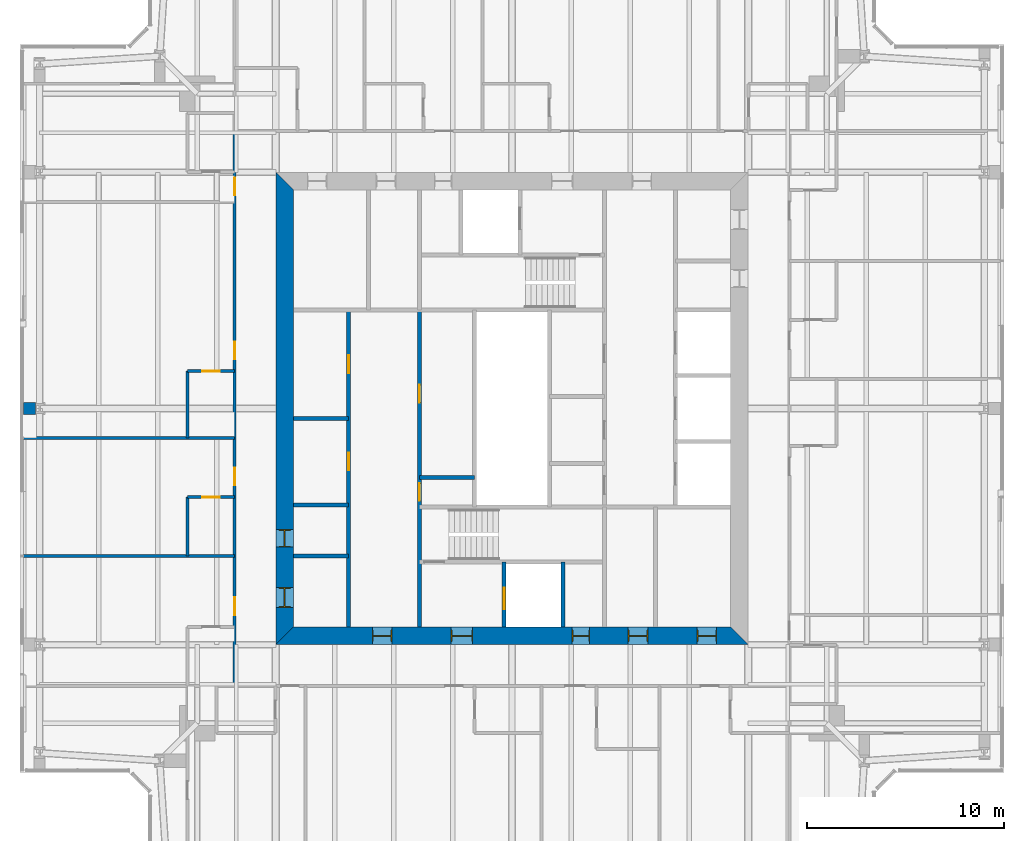
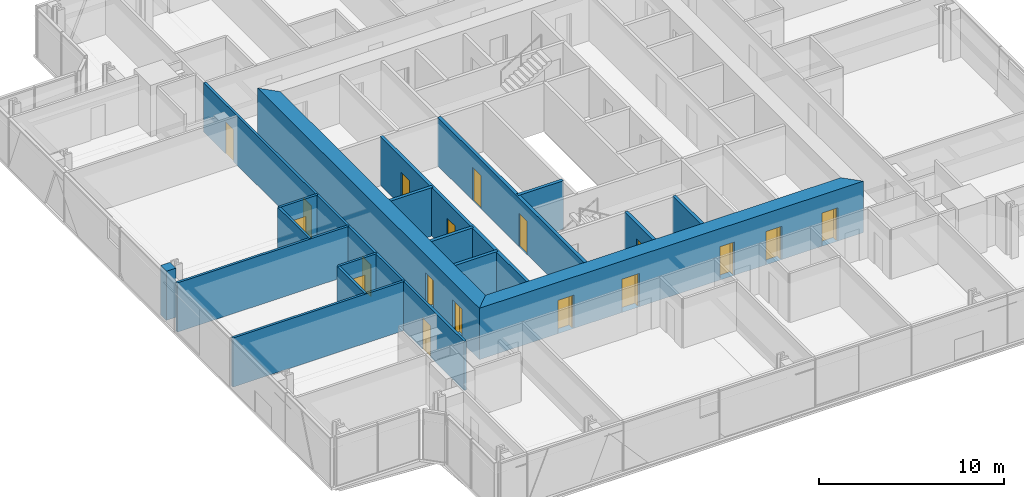
# One storey, part 12 of 18: 18 doors, 18 walls, 18 openings.
"""IFC4 building model written with IfcOpenShell, lengths in metres."""

from ifc_helpers import new_model, si_unit, direction, frame, frame_2d, origin, place, context, subcontext, project, spatial, polyline, rectangle, outline, extrude, material, layer, layer_set, type_object, element, fill, save


model = new_model("IFC4")

# Units and contexts
model_context = context("Model", 3, precision=1e-05, world=origin(), true_north=direction((0.0, 1.0)))
body_context = subcontext(model_context, "Body", "Model", "MODEL_VIEW")
ifc_project = project(units=[si_unit("LENGTHUNIT", "METRE"), si_unit("AREAUNIT", "SQUARE_METRE"), si_unit("VOLUMEUNIT", "CUBIC_METRE"), si_unit("PLANEANGLEUNIT", "RADIAN"), si_unit("MASSUNIT", "GRAM", prefix="KILO")], contexts=[model_context])

# Site, building, storey
site_placement = place(None, origin())
site = spatial("IfcSite", under=ifc_project, at=site_placement, CompositionType="ELEMENT")
building_placement = place(site_placement, origin())
building = spatial("IfcBuilding", under=site, at=building_placement, Name="Fenwick Lantern Interchange", CompositionType="ELEMENT")
storey_placement = place(building_placement, frame((0.0, 0.0, 262.800048828125)))
storey = spatial("IfcBuildingStorey", under=building, at=storey_placement, Name="L62", CompositionType="ELEMENT", Elevation=262.800048828125)

# Wall
ifc_material_1 = material(Name="Fire-rated gypsum board encasement on steel studs, 2 hour", Category="steel")
ifc_layer_1 = layer(ifc_material_1, 0.631103515625)
ifc_layer_set_1 = layer_set([ifc_layer_1], Name="COLUMN PIER 631")
wall_type_1 = type_object("IfcWallType", Name="COLUMN PIER 631", PredefinedType="PARTITIONING", material=ifc_layer_set_1)
wall_1_placement = place(storey_placement, frame((0.18994140625, 25.0, 0.0), z_axis=(0.0, 0.0, 1.0), x_axis=(1.0, 0.0, 0.0)))
element("IfcWall", 1, at=wall_1_placement, inside=storey, type_object=wall_type_1, Name="L62/W/PIER/CW3", PredefinedType="PARTITIONING", context=body_context, shape_type="SweptSolid", body=[
    extrude(rectangle(XDim=0.589111328125, YDim=0.631103515625, at=frame_2d((0.29443359375, 0.0))), origin(), (0.0, 0.0, 1.0), 3.25),
])

# Wall, openings, doors
ifc_material_2 = material(Name="Concrete masonry ASTM C90 Grade N", Category="masonry")
ifc_layer_2 = layer(ifc_material_2, 0.199951171875)
ifc_layer_set_2 = layer_set([ifc_layer_2], Name="Concrete masonry ASTM C90 Grade N")
wall_type_2 = type_object("IfcWallType", Name="CORE PARTITION 200", PredefinedType="PARTITIONING", material=ifc_layer_set_2)
wall_2_placement = place(storey_placement, frame((16.699951171875, 13.89990234375, 0.0), z_axis=(0.0, 0.0, 1.0), x_axis=(0.0, 1.0, 0.0)))
wall_2 = element("IfcWall", 2, at=wall_2_placement, inside=storey, type_object=wall_type_2, Name="L62/W/CORES/a", PredefinedType="PARTITIONING", context=body_context, shape_type="SweptSolid", body=[
    extrude(rectangle(XDim=16.10009765625, YDim=0.199951171875, at=frame_2d((8.050048828125, 0.0))), origin(), (0.0, 0.0, 1.0), 3.199951171875),
])
opening_1_placement = place(wall_2_placement, frame((7.949951171875, 0.0, 0.0)))
opening_1 = element("IfcOpeningElement", 3, at=opening_1_placement, cuts=wall_2, Name="Opening L62-D009", PredefinedType="OPENING", context=body_context, shape_type="SweptSolid", body=[
    extrude(rectangle(XDim=0.89990234375, YDim=2.199951171875, at=frame_2d((0.449951171875, 1.10009765625))), frame((0.0, 0.10986328125, 0.0), z_axis=(0.0, -1.0, 0.0), x_axis=(1.0, 0.0, 0.0)), (0.0, 0.0, 1.0), 0.219970703125),
])
opening_2_placement = place(wall_2_placement, frame((12.89990234375, 0.0, 0.0)))
opening_2 = element("IfcOpeningElement", 4, at=opening_2_placement, cuts=wall_2, Name="Opening L62-D010", PredefinedType="OPENING", context=body_context, shape_type="SweptSolid", body=[
    extrude(rectangle(XDim=0.89990234375, YDim=2.199951171875, at=frame_2d((0.449951171875, 1.10009765625))), frame((0.0, 0.10986328125, 0.0), z_axis=(0.0, -1.0, 0.0), x_axis=(1.0, 0.0, 0.0)), (0.0, 0.0, 1.0), 0.219970703125),
])
ifc_material_3 = material(Name="Steel door and frame", Category="steel")
door_type_1 = type_object("IfcDoorType", Name="SERVICE DOOR 900 X 2200", OperationType="SINGLE_SWING_LEFT", PredefinedType="DOOR", material=ifc_material_3)
door_1_placement = place(opening_1_placement, origin())
door_1 = element("IfcDoor", 5, at=door_1_placement, inside=storey, type_object=door_type_1, Name="Service door", OperationType="SINGLE_SWING_LEFT", OverallHeight=2.199951171875, OverallWidth=0.89990234375, PredefinedType="DOOR", context=body_context, shape_type="SweptSolid", body=[
    extrude(rectangle(XDim=0.89990234375, YDim=2.199951171875, at=frame_2d((0.449951171875, 1.10009765625))), frame((0.0, 0.02490234375, 0.0), z_axis=(0.0, -1.0, 0.0), x_axis=(1.0, 0.0, 0.0)), (0.0, 0.0, 1.0), 0.050048828125),
])
fill(opening_1, door_1)
door_2_placement = place(opening_2_placement, origin())
door_2 = element("IfcDoor", 6, at=door_2_placement, inside=storey, type_object=door_type_1, Name="Service door", OperationType="SINGLE_SWING_LEFT", OverallHeight=2.199951171875, OverallWidth=0.89990234375, PredefinedType="DOOR", context=body_context, shape_type="SweptSolid", body=[
    extrude(rectangle(XDim=0.89990234375, YDim=2.199951171875, at=frame_2d((0.449951171875, 1.10009765625))), frame((0.0, 0.02490234375, 0.0), z_axis=(0.0, -1.0, 0.0), x_axis=(1.0, 0.0, 0.0)), (0.0, 0.0, 1.0), 0.050048828125),
])
fill(opening_2, door_2)

# Wall, opening, door
wall_3_placement = place(storey_placement, frame((24.60009765625, 13.89990234375, 0.0), z_axis=(0.0, 0.0, 1.0), x_axis=(0.0, 1.0, 0.0)))
wall_3 = element("IfcWall", 7, at=wall_3_placement, inside=storey, type_object=wall_type_2, Name="L62/W/CORES/h1", PredefinedType="PARTITIONING", context=body_context, shape_type="SweptSolid", body=[
    extrude(rectangle(XDim=3.300048828125, YDim=0.199951171875, at=frame_2d((1.64990234375, 0.0))), origin(), (0.0, 0.0, 1.0), 3.199951171875),
])
opening_3_placement = place(wall_3_placement, frame((0.89990234375, 0.0, 0.0)))
opening_3 = element("IfcOpeningElement", 8, at=opening_3_placement, cuts=wall_3, Name="Opening LD-FL1", PredefinedType="OPENING", context=body_context, shape_type="SweptSolid", body=[
    extrude(rectangle(XDim=1.10009765625, YDim=2.199951171875, at=frame_2d((0.550048828125, 1.10009765625))), frame((0.0, 0.10986328125, 0.0), z_axis=(0.0, -1.0, 0.0), x_axis=(1.0, 0.0, 0.0)), (0.0, 0.0, 1.0), 0.219970703125),
])
door_type_2 = type_object("IfcDoorType", Name="LIFT LANDING DOOR 1100 X 2200", OperationType="DOUBLE_DOOR_SLIDING", PredefinedType="DOOR", material=ifc_material_3)
door_3_placement = place(opening_3_placement, origin())
door_3 = element("IfcDoor", 9, at=door_3_placement, inside=storey, type_object=door_type_2, Name="Lift landing door FL1", OperationType="DOUBLE_DOOR_SLIDING", OverallHeight=2.199951171875, OverallWidth=1.10009765625, PredefinedType="DOOR", context=body_context, shape_type="SweptSolid", body=[
    extrude(rectangle(XDim=1.10009765625, YDim=2.199951171875, at=frame_2d((0.550048828125, 1.10009765625))), frame((0.0, 0.02490234375, 0.0), z_axis=(0.0, -1.0, 0.0), x_axis=(1.0, 0.0, 0.0)), (0.0, 0.0, 1.0), 0.050048828125),
])
fill(opening_3, door_3)

# Walls
wall_4_placement = place(storey_placement, frame((27.60009765625, 13.89990234375, 0.0), z_axis=(0.0, 0.0, 1.0), x_axis=(0.0, 1.0, 0.0)))
element("IfcWall", 10, at=wall_4_placement, inside=storey, type_object=wall_type_2, Name="L62/W/CORES/h2", PredefinedType="PARTITIONING", context=body_context, shape_type="SweptSolid", body=[
    extrude(rectangle(XDim=3.300048828125, YDim=0.199951171875, at=frame_2d((1.64990234375, 0.0))), origin(), (0.0, 0.0, 1.0), 3.199951171875),
])
for number, where, z_axis, x_axis, name in (
    (11, (13.89990234375, 17.5, 0.0), (0.0, 0.0, 1.0), (1.0, 0.0, 0.0), "L62/W/CORES/p1"),
    (12, (13.89990234375, 20.10009765625, 0.0), (0.0, 0.0, 1.0), (1.0, 0.0, 0.0), "L62/W/CORES/p2"),
    (13, (13.89990234375, 24.5, 0.0), (0.0, 0.0, 1.0), (1.0, 0.0, 0.0), "L62/W/CORES/p3"),
    (14, (20.300048828125, 21.5, 0.0), (0.0, 0.0, 1.0), (1.0, 0.0, 0.0), "L62/W/CORES/q1"),
):
    element("IfcWall", number, at=place(storey_placement, frame(where, z_axis=z_axis, x_axis=x_axis)), inside=storey, type_object=wall_type_2, Name=name, PredefinedType="PARTITIONING", context=body_context, shape_type="SweptSolid", body=[
        extrude(rectangle(XDim=2.800048828125, YDim=0.199951171875, at=frame_2d((1.39990234375, 0.0))), origin(), (0.0, 0.0, 1.0), 3.199951171875),
    ])

# Wall, openings, doors
ifc_material_4 = material(Name="Concrete f'c 70 MPa", Category="concrete")
ifc_layer_3 = layer(ifc_material_4, 0.89990234375)
ifc_layer_set_3 = layer_set([ifc_layer_3], Name="CORE WALL 900")
wall_type_3 = type_object("IfcWallType", Name="CORE WALL 900", PredefinedType="SHEAR", material=ifc_layer_set_3)
wall_5_placement = place(storey_placement, frame((13.0, 13.449951171875, 0.0), z_axis=(0.0, 0.0, 1.0), x_axis=(1.0, 0.0, 0.0)))
wall_5 = element("IfcWall", 15, at=wall_5_placement, inside=storey, type_object=wall_type_3, Name="L62/CORE/S", PredefinedType="SHEAR", context=body_context, shape_type="SweptSolid", body=[
    extrude(outline(polyline([(0.0, -0.449951171875), (24.0, -0.449951171875), (23.10009765625, 0.449951171875), (0.89990234375, 0.449951171875), (0.0, -0.449951171875)])), origin(), (0.0, 0.0, 1.0), 3.39990234375),
])
opening_4_placement = place(wall_5_placement, frame((4.89990234375, 0.0, 0.0)))
opening_4 = element("IfcOpeningElement", 16, at=opening_4_placement, cuts=wall_5, Name="Opening L62-D001", PredefinedType="OPENING", context=body_context, shape_type="SweptSolid", body=[
    extrude(rectangle(XDim=1.0, YDim=2.199951171875, at=frame_2d((0.5, 1.10009765625))), frame((0.0, 0.4599609375, 0.0), z_axis=(0.0, -1.0, 0.0), x_axis=(1.0, 0.0, 0.0)), (0.0, 0.0, 1.0), 0.919921875),
])
opening_5_placement = place(wall_5_placement, frame((8.89990234375, 0.0, 0.0)))
opening_5 = element("IfcOpeningElement", 17, at=opening_5_placement, cuts=wall_5, Name="Opening L62-D002", PredefinedType="OPENING", context=body_context, shape_type="SweptSolid", body=[
    extrude(rectangle(XDim=1.10009765625, YDim=2.199951171875, at=frame_2d((0.550048828125, 1.10009765625))), frame((0.0, 0.4599609375, 0.0), z_axis=(0.0, -1.0, 0.0), x_axis=(1.0, 0.0, 0.0)), (0.0, 0.0, 1.0), 0.919921875),
])
opening_6_placement = place(wall_5_placement, frame((15.050048828125, 0.0, 0.0)))
opening_6 = element("IfcOpeningElement", 18, at=opening_6_placement, cuts=wall_5, Name="Opening L62-D004", PredefinedType="OPENING", context=body_context, shape_type="SweptSolid", body=[
    extrude(rectangle(XDim=0.89990234375, YDim=2.199951171875, at=frame_2d((0.449951171875, 1.10009765625))), frame((0.0, 0.4599609375, 0.0), z_axis=(0.0, -1.0, 0.0), x_axis=(1.0, 0.0, 0.0)), (0.0, 0.0, 1.0), 0.919921875),
])
opening_7_placement = place(wall_5_placement, frame((17.89990234375, 0.0, 0.0)))
opening_7 = element("IfcOpeningElement", 19, at=opening_7_placement, cuts=wall_5, Name="Opening L62-D005", PredefinedType="OPENING", context=body_context, shape_type="SweptSolid", body=[
    extrude(rectangle(XDim=1.0, YDim=2.199951171875, at=frame_2d((0.5, 1.10009765625))), frame((0.0, 0.4599609375, 0.0), z_axis=(0.0, -1.0, 0.0), x_axis=(1.0, 0.0, 0.0)), (0.0, 0.0, 1.0), 0.919921875),
])
opening_8_placement = place(wall_5_placement, frame((21.39990234375, 0.0, 0.0)))
opening_8 = element("IfcOpeningElement", 20, at=opening_8_placement, cuts=wall_5, Name="Opening L62-D006", PredefinedType="OPENING", context=body_context, shape_type="SweptSolid", body=[
    extrude(rectangle(XDim=1.0, YDim=2.199951171875, at=frame_2d((0.5, 1.10009765625))), frame((0.0, 0.4599609375, 0.0), z_axis=(0.0, -1.0, 0.0), x_axis=(1.0, 0.0, 0.0)), (0.0, 0.0, 1.0), 0.919921875),
])
door_type_3 = type_object("IfcDoorType", Name="CORE LOBBY DOOR 1000 X 2200", OperationType="SINGLE_SWING_LEFT", PredefinedType="DOOR", material=ifc_material_3)
door_4_placement = place(opening_4_placement, origin())
door_4 = element("IfcDoor", 21, at=door_4_placement, inside=storey, type_object=door_type_3, Name="Core lobby door", OperationType="SINGLE_SWING_LEFT", OverallHeight=2.199951171875, OverallWidth=1.0, PredefinedType="DOOR", context=body_context, shape_type="SweptSolid", body=[
    extrude(rectangle(XDim=1.0, YDim=2.199951171875, at=frame_2d((0.5, 1.10009765625))), frame((0.0, 0.02490234375, 0.0), z_axis=(0.0, -1.0, 0.0), x_axis=(1.0, 0.0, 0.0)), (0.0, 0.0, 1.0), 0.050048828125),
    extrude(outline(polyline([(0.0, 0.0), (0.0400390625, 0.0), (0.0400390625, 2.159912109375), (0.9599609375, 2.159912109375), (0.9599609375, 0.0), (1.0, 0.0), (1.0, 2.199951171875), (0.0, 2.199951171875), (0.0, 0.0)])), frame((0.0, 0.300048828125, 0.0), z_axis=(0.0, -1.0, 0.0), x_axis=(1.0, 0.0, 0.0)), (0.0, 0.0, 1.0), 0.60009765625),
])
fill(opening_4, door_4)
door_type_4 = type_object("IfcDoorType", Name="FIRE LOBBY DOOR 1100 X 2200", OperationType="SINGLE_SWING_LEFT", PredefinedType="DOOR", material=ifc_material_3)
door_5_placement = place(opening_5_placement, origin())
door_5 = element("IfcDoor", 22, at=door_5_placement, inside=storey, type_object=door_type_4, Name="Fire lobby door", OperationType="SINGLE_SWING_LEFT", OverallHeight=2.199951171875, OverallWidth=1.10009765625, PredefinedType="DOOR", context=body_context, shape_type="SweptSolid", body=[
    extrude(rectangle(XDim=1.10009765625, YDim=2.199951171875, at=frame_2d((0.550048828125, 1.10009765625))), frame((0.0, 0.02490234375, 0.0), z_axis=(0.0, -1.0, 0.0), x_axis=(1.0, 0.0, 0.0)), (0.0, 0.0, 1.0), 0.050048828125),
    extrude(outline(polyline([(0.0, 0.0), (0.0400390625, 0.0), (0.0400390625, 2.159912109375), (1.06005859375, 2.159912109375), (1.06005859375, 0.0), (1.10009765625, 0.0), (1.10009765625, 2.199951171875), (0.0, 2.199951171875), (0.0, 0.0)])), frame((0.0, 0.300048828125, 0.0), z_axis=(0.0, -1.0, 0.0), x_axis=(1.0, 0.0, 0.0)), (0.0, 0.0, 1.0), 0.60009765625),
])
fill(opening_5, door_5)
door_6_placement = place(opening_6_placement, origin())
door_6 = element("IfcDoor", 23, at=door_6_placement, inside=storey, type_object=door_type_1, Name="Service door", OperationType="SINGLE_SWING_LEFT", OverallHeight=2.199951171875, OverallWidth=0.89990234375, PredefinedType="DOOR", context=body_context, shape_type="SweptSolid", body=[
    extrude(rectangle(XDim=0.89990234375, YDim=2.199951171875, at=frame_2d((0.449951171875, 1.10009765625))), frame((0.0, 0.02490234375, 0.0), z_axis=(0.0, -1.0, 0.0), x_axis=(1.0, 0.0, 0.0)), (0.0, 0.0, 1.0), 0.050048828125),
    extrude(outline(polyline([(0.0, 0.0), (0.0400390625, 0.0), (0.0400390625, 2.159912109375), (0.85986328125, 2.159912109375), (0.85986328125, 0.0), (0.89990234375, 0.0), (0.89990234375, 2.199951171875), (0.0, 2.199951171875), (0.0, 0.0)])), frame((0.0, 0.300048828125, 0.0), z_axis=(0.0, -1.0, 0.0), x_axis=(1.0, 0.0, 0.0)), (0.0, 0.0, 1.0), 0.60009765625),
])
fill(opening_6, door_6)
ifc_material_5 = material(Name="Hardwood door and steel frame", Category="steel")
door_type_5 = type_object("IfcDoorType", Name="WC DOOR 1000 X 2200", OperationType="SINGLE_SWING_LEFT", PredefinedType="DOOR", material=ifc_material_5)
door_7_placement = place(opening_7_placement, origin())
door_7 = element("IfcDoor", 24, at=door_7_placement, inside=storey, type_object=door_type_5, Name="Wc door", OperationType="SINGLE_SWING_RIGHT", OverallHeight=2.199951171875, OverallWidth=1.0, PredefinedType="DOOR", context=body_context, shape_type="SweptSolid", body=[
    extrude(rectangle(XDim=1.0, YDim=2.199951171875, at=frame_2d((0.5, 1.10009765625))), frame((0.0, 0.02490234375, 0.0), z_axis=(0.0, -1.0, 0.0), x_axis=(1.0, 0.0, 0.0)), (0.0, 0.0, 1.0), 0.050048828125),
    extrude(outline(polyline([(0.0, 0.0), (0.0400390625, 0.0), (0.0400390625, 2.159912109375), (0.9599609375, 2.159912109375), (0.9599609375, 0.0), (1.0, 0.0), (1.0, 2.199951171875), (0.0, 2.199951171875), (0.0, 0.0)])), frame((0.0, 0.300048828125, 0.0), z_axis=(0.0, -1.0, 0.0), x_axis=(1.0, 0.0, 0.0)), (0.0, 0.0, 1.0), 0.60009765625),
])
fill(opening_7, door_7)
door_8_placement = place(opening_8_placement, origin())
door_8 = element("IfcDoor", 25, at=door_8_placement, inside=storey, type_object=door_type_5, Name="Wc door", OperationType="SINGLE_SWING_RIGHT", OverallHeight=2.199951171875, OverallWidth=1.0, PredefinedType="DOOR", context=body_context, shape_type="SweptSolid", body=[
    extrude(rectangle(XDim=1.0, YDim=2.199951171875, at=frame_2d((0.5, 1.10009765625))), frame((0.0, 0.02490234375, 0.0), z_axis=(0.0, -1.0, 0.0), x_axis=(1.0, 0.0, 0.0)), (0.0, 0.0, 1.0), 0.050048828125),
    extrude(outline(polyline([(0.0, 0.0), (0.0400390625, 0.0), (0.0400390625, 2.159912109375), (0.9599609375, 2.159912109375), (0.9599609375, 0.0), (1.0, 0.0), (1.0, 2.199951171875), (0.0, 2.199951171875), (0.0, 0.0)])), frame((0.0, 0.300048828125, 0.0), z_axis=(0.0, -1.0, 0.0), x_axis=(1.0, 0.0, 0.0)), (0.0, 0.0, 1.0), 0.60009765625),
])
fill(opening_8, door_8)

wall_6_placement = place(storey_placement, frame((13.449951171875, 36.10009765625, 0.0), z_axis=(0.0, 0.0, 1.0), x_axis=(0.0, -1.0, 0.0)))
wall_6 = element("IfcWall", 26, at=wall_6_placement, inside=storey, type_object=wall_type_3, Name="L62/CORE/W", PredefinedType="SHEAR", context=body_context, shape_type="SweptSolid", body=[
    extrude(outline(polyline([(-0.89990234375, -0.449951171875), (23.10009765625, -0.449951171875), (22.199951171875, 0.449951171875), (0.0, 0.449951171875), (-0.89990234375, -0.449951171875)])), origin(), (0.0, 0.0, 1.0), 3.39990234375),
])
opening_9_placement = place(wall_6_placement, frame((20.199951171875, 0.0, 0.0)))
opening_9 = element("IfcOpeningElement", 27, at=opening_9_placement, cuts=wall_6, Name="Opening L62-D007", PredefinedType="OPENING", context=body_context, shape_type="SweptSolid", body=[
    extrude(rectangle(XDim=1.0, YDim=2.199951171875, at=frame_2d((0.5, 1.10009765625))), frame((0.0, 0.4599609375, 0.0), z_axis=(0.0, -1.0, 0.0), x_axis=(1.0, 0.0, 0.0)), (0.0, 0.0, 1.0), 0.919921875),
])
opening_10_placement = place(wall_6_placement, frame((17.25, 0.0, 0.0)))
opening_10 = element("IfcOpeningElement", 28, at=opening_10_placement, cuts=wall_6, Name="Opening L62-D008", PredefinedType="OPENING", context=body_context, shape_type="SweptSolid", body=[
    extrude(rectangle(XDim=0.89990234375, YDim=2.199951171875, at=frame_2d((0.449951171875, 1.10009765625))), frame((0.0, 0.4599609375, 0.0), z_axis=(0.0, -1.0, 0.0), x_axis=(1.0, 0.0, 0.0)), (0.0, 0.0, 1.0), 0.919921875),
])
door_9_placement = place(opening_10_placement, origin())
door_9 = element("IfcDoor", 29, at=door_9_placement, inside=storey, type_object=door_type_1, Name="Service door", OperationType="SINGLE_SWING_RIGHT", OverallHeight=2.199951171875, OverallWidth=0.89990234375, PredefinedType="DOOR", context=body_context, shape_type="SweptSolid", body=[
    extrude(rectangle(XDim=0.89990234375, YDim=2.199951171875, at=frame_2d((0.449951171875, 1.10009765625))), frame((0.0, 0.02490234375, 0.0), z_axis=(0.0, -1.0, 0.0), x_axis=(1.0, 0.0, 0.0)), (0.0, 0.0, 1.0), 0.050048828125),
    extrude(outline(polyline([(0.0, 0.0), (0.0400390625, 0.0), (0.0400390625, 2.159912109375), (0.85986328125, 2.159912109375), (0.85986328125, 0.0), (0.89990234375, 0.0), (0.89990234375, 2.199951171875), (0.0, 2.199951171875), (0.0, 0.0)])), frame((0.0, 0.300048828125, 0.0), z_axis=(0.0, -1.0, 0.0), x_axis=(1.0, 0.0, 0.0)), (0.0, 0.0, 1.0), 0.60009765625),
])
fill(opening_10, door_9)
door_10_placement = place(opening_9_placement, origin())
door_10 = element("IfcDoor", 30, at=door_10_placement, inside=storey, type_object=door_type_5, Name="Wc door", OperationType="SINGLE_SWING_RIGHT", OverallHeight=2.199951171875, OverallWidth=1.0, PredefinedType="DOOR", context=body_context, shape_type="SweptSolid", body=[
    extrude(rectangle(XDim=1.0, YDim=2.199951171875, at=frame_2d((0.5, 1.10009765625))), frame((0.0, 0.02490234375, 0.0), z_axis=(0.0, -1.0, 0.0), x_axis=(1.0, 0.0, 0.0)), (0.0, 0.0, 1.0), 0.050048828125),
    extrude(outline(polyline([(0.0, 0.0), (0.0400390625, 0.0), (0.0400390625, 2.159912109375), (0.9599609375, 2.159912109375), (0.9599609375, 0.0), (1.0, 0.0), (1.0, 2.199951171875), (0.0, 2.199951171875), (0.0, 0.0)])), frame((0.0, 0.300048828125, 0.0), z_axis=(0.0, -1.0, 0.0), x_axis=(1.0, 0.0, 0.0)), (0.0, 0.0, 1.0), 0.60009765625),
])
fill(opening_9, door_10)

ifc_material_6 = material(Name="Gypsum board on steel studs, 1 hour", Category="steel")
ifc_layer_4 = layer(ifc_material_6, 0.14990234375)
ifc_layer_set_4 = layer_set([ifc_layer_4], Name="CORRIDOR WALL 150")
wall_type_4 = type_object("IfcWallType", Name="CORRIDOR WALL 150", PredefinedType="PARTITIONING", material=ifc_layer_set_4)
wall_7_placement = place(storey_placement, frame((10.89990234375, 39.10009765625, 0.0), z_axis=(0.0, 0.0, 1.0), x_axis=(0.0, -1.0, 0.0)))
wall_7 = element("IfcWall", 31, at=wall_7_placement, inside=storey, type_object=wall_type_4, Name="L62/W/HOTEL/W/CW", PredefinedType="PARTITIONING", context=body_context, shape_type="SweptSolid", body=[
    extrude(rectangle(XDim=28.2001953125, YDim=0.14990234375, at=frame_2d((14.10009765625, 0.0))), origin(), (0.0, 0.0, 1.0), 3.25),
])
opening_11_placement = place(wall_7_placement, frame((2.375, 0.0, 0.0)))
opening_11 = element("IfcOpeningElement", 32, at=opening_11_placement, cuts=wall_7, Name="Opening L62-D053", PredefinedType="OPENING", context=body_context, shape_type="SweptSolid", body=[
    extrude(rectangle(XDim=0.89990234375, YDim=2.10009765625, at=frame_2d((0.449951171875, 1.050048828125))), frame((0.0, 0.0849609375, 0.0), z_axis=(0.0, -1.0, 0.0), x_axis=(1.0, 0.0, 0.0)), (0.0, 0.0, 1.0), 0.169921875),
])
opening_12_placement = place(wall_7_placement, frame((10.699951171875, 0.0, 0.0)))
opening_12 = element("IfcOpeningElement", 33, at=opening_12_placement, cuts=wall_7, Name="Opening L62-D055", PredefinedType="OPENING", context=body_context, shape_type="SweptSolid", body=[
    extrude(rectangle(XDim=0.89990234375, YDim=2.10009765625, at=frame_2d((0.449951171875, 1.050048828125))), frame((0.0, 0.0849609375, 0.0), z_axis=(0.0, -1.0, 0.0), x_axis=(1.0, 0.0, 0.0)), (0.0, 0.0, 1.0), 0.169921875),
])
opening_13_placement = place(wall_7_placement, frame((17.10009765625, 0.0, 0.0)))
opening_13 = element("IfcOpeningElement", 34, at=opening_13_placement, cuts=wall_7, Name="Opening L62-D057", PredefinedType="OPENING", context=body_context, shape_type="SweptSolid", body=[
    extrude(rectangle(XDim=0.89990234375, YDim=2.10009765625, at=frame_2d((0.449951171875, 1.050048828125))), frame((0.0, 0.0849609375, 0.0), z_axis=(0.0, -1.0, 0.0), x_axis=(1.0, 0.0, 0.0)), (0.0, 0.0, 1.0), 0.169921875),
])
opening_14_placement = place(wall_7_placement, frame((23.699951171875, 0.0, 0.0)))
opening_14 = element("IfcOpeningElement", 35, at=opening_14_placement, cuts=wall_7, Name="Opening L62-D059", PredefinedType="OPENING", context=body_context, shape_type="SweptSolid", body=[
    extrude(rectangle(XDim=0.89990234375, YDim=2.10009765625, at=frame_2d((0.449951171875, 1.050048828125))), frame((0.0, 0.0849609375, 0.0), z_axis=(0.0, -1.0, 0.0), x_axis=(1.0, 0.0, 0.0)), (0.0, 0.0, 1.0), 0.169921875),
])
door_type_6 = type_object("IfcDoorType", Name="GUEST ROOM DOOR 900 X 2100", OperationType="SINGLE_SWING_LEFT", PredefinedType="DOOR", material=ifc_material_3)
door_11_placement = place(opening_11_placement, frame((0.89990234375, 0.0, 0.0), z_axis=(0.0, 0.0, 1.0), x_axis=(-1.0, 0.0, 0.0)))
door_11 = element("IfcDoor", 36, at=door_11_placement, inside=storey, type_object=door_type_6, Name="Guest room door", OperationType="SINGLE_SWING_RIGHT", OverallHeight=2.10009765625, OverallWidth=0.89990234375, PredefinedType="DOOR", context=body_context, shape_type="SweptSolid", body=[
    extrude(rectangle(XDim=0.89990234375, YDim=2.10009765625, at=frame_2d((0.449951171875, 1.050048828125))), frame((0.0, 0.02490234375, 0.0), z_axis=(0.0, -1.0, 0.0), x_axis=(1.0, 0.0, 0.0)), (0.0, 0.0, 1.0), 0.050048828125),
])
fill(opening_11, door_11)
door_12_placement = place(opening_12_placement, frame((0.89990234375, 0.0, 0.0), z_axis=(0.0, 0.0, 1.0), x_axis=(-1.0, 0.0, 0.0)))
door_12 = element("IfcDoor", 37, at=door_12_placement, inside=storey, type_object=door_type_6, Name="Guest room door", OperationType="SINGLE_SWING_LEFT", OverallHeight=2.10009765625, OverallWidth=0.89990234375, PredefinedType="DOOR", context=body_context, shape_type="SweptSolid", body=[
    extrude(rectangle(XDim=0.89990234375, YDim=2.10009765625, at=frame_2d((0.449951171875, 1.050048828125))), frame((0.0, 0.02490234375, 0.0), z_axis=(0.0, -1.0, 0.0), x_axis=(1.0, 0.0, 0.0)), (0.0, 0.0, 1.0), 0.050048828125),
])
fill(opening_12, door_12)
door_13_placement = place(opening_13_placement, frame((0.89990234375, 0.0, 0.0), z_axis=(0.0, 0.0, 1.0), x_axis=(-1.0, 0.0, 0.0)))
door_13 = element("IfcDoor", 38, at=door_13_placement, inside=storey, type_object=door_type_6, Name="Guest room door", OperationType="SINGLE_SWING_LEFT", OverallHeight=2.10009765625, OverallWidth=0.89990234375, PredefinedType="DOOR", context=body_context, shape_type="SweptSolid", body=[
    extrude(rectangle(XDim=0.89990234375, YDim=2.10009765625, at=frame_2d((0.449951171875, 1.050048828125))), frame((0.0, 0.02490234375, 0.0), z_axis=(0.0, -1.0, 0.0), x_axis=(1.0, 0.0, 0.0)), (0.0, 0.0, 1.0), 0.050048828125),
])
fill(opening_13, door_13)
door_14_placement = place(opening_14_placement, frame((0.89990234375, 0.0, 0.0), z_axis=(0.0, 0.0, 1.0), x_axis=(-1.0, 0.0, 0.0)))
door_14 = element("IfcDoor", 39, at=door_14_placement, inside=storey, type_object=door_type_6, Name="Guest room door", OperationType="SINGLE_SWING_LEFT", OverallHeight=2.10009765625, OverallWidth=0.89990234375, PredefinedType="DOOR", context=body_context, shape_type="SweptSolid", body=[
    extrude(rectangle(XDim=0.89990234375, YDim=2.10009765625, at=frame_2d((0.449951171875, 1.050048828125))), frame((0.0, 0.02490234375, 0.0), z_axis=(0.0, -1.0, 0.0), x_axis=(1.0, 0.0, 0.0)), (0.0, 0.0, 1.0), 0.050048828125),
])
fill(opening_14, door_14)

# Wall
ifc_material_7 = material(Name="Gypsum board on steel studs, moisture resistant", Category="steel")
ifc_layer_5 = layer(ifc_material_7, 0.14990234375)
ifc_layer_set_5 = layer_set([ifc_layer_5], Name="EN-SUITE WALL 150")
wall_type_5 = type_object("IfcWallType", Name="EN-SUITE WALL 150", PredefinedType="PARTITIONING", material=ifc_layer_set_5)
wall_8_placement = place(storey_placement, frame((8.5, 26.89990234375, 0.0), z_axis=(0.0, 0.0, 1.0), x_axis=(0.0, -1.0, 0.0)))
element("IfcWall", 40, at=wall_8_placement, inside=storey, type_object=wall_type_5, Name="L62/W/HOTEL/W/U2BW", PredefinedType="PARTITIONING", context=body_context, shape_type="SweptSolid", body=[
    extrude(rectangle(XDim=3.39990234375, YDim=0.14990234375, at=frame_2d((1.699951171875, 0.0))), origin(), (0.0, 0.0, 1.0), 3.25),
])

# Wall, opening, door
wall_9_placement = place(storey_placement, frame((8.5, 26.89990234375, 0.0), z_axis=(0.0, 0.0, 1.0), x_axis=(1.0, 0.0, 0.0)))
wall_9 = element("IfcWall", 41, at=wall_9_placement, inside=storey, type_object=wall_type_5, Name="L62/W/HOTEL/W/U2BX", PredefinedType="PARTITIONING", context=body_context, shape_type="SweptSolid", body=[
    extrude(rectangle(XDim=2.39990234375, YDim=0.14990234375, at=frame_2d((1.199951171875, 0.0))), origin(), (0.0, 0.0, 1.0), 3.25),
])
opening_15_placement = place(wall_9_placement, frame((0.75, 0.0, 0.0)))
opening_15 = element("IfcOpeningElement", 42, at=opening_15_placement, cuts=wall_9, Name="Opening L62-D054", PredefinedType="OPENING", context=body_context, shape_type="SweptSolid", body=[
    extrude(rectangle(XDim=0.89990234375, YDim=2.10009765625, at=frame_2d((0.449951171875, 1.050048828125))), frame((0.0, 0.0849609375, 0.0), z_axis=(0.0, -1.0, 0.0), x_axis=(1.0, 0.0, 0.0)), (0.0, 0.0, 1.0), 0.169921875),
])
door_type_7 = type_object("IfcDoorType", Name="EN-SUITE DOOR 900 X 2100", OperationType="SINGLE_SWING_LEFT", PredefinedType="DOOR", material=ifc_material_5)
door_15_placement = place(opening_15_placement, frame((0.89990234375, 0.0, 0.0), z_axis=(0.0, 0.0, 1.0), x_axis=(-1.0, 0.0, 0.0)))
door_15 = element("IfcDoor", 43, at=door_15_placement, inside=storey, type_object=door_type_7, Name="En-suite door", OperationType="SINGLE_SWING_RIGHT", OverallHeight=2.10009765625, OverallWidth=0.89990234375, PredefinedType="DOOR", context=body_context, shape_type="SweptSolid", body=[
    extrude(rectangle(XDim=0.89990234375, YDim=2.10009765625, at=frame_2d((0.449951171875, 1.050048828125))), frame((0.0, 0.02490234375, 0.0), z_axis=(0.0, -1.0, 0.0), x_axis=(1.0, 0.0, 0.0)), (0.0, 0.0, 1.0), 0.050048828125),
])
fill(opening_15, door_15)

# Wall
wall_10_placement = place(storey_placement, frame((8.5, 20.5, 0.0), z_axis=(0.0, 0.0, 1.0), x_axis=(0.0, -1.0, 0.0)))
element("IfcWall", 44, at=wall_10_placement, inside=storey, type_object=wall_type_5, Name="L62/W/HOTEL/W/U3BW", PredefinedType="PARTITIONING", context=body_context, shape_type="SweptSolid", body=[
    extrude(rectangle(XDim=3.0, YDim=0.14990234375, at=frame_2d((1.5, 0.0))), origin(), (0.0, 0.0, 1.0), 3.25),
])

# Wall, opening, door
wall_11_placement = place(storey_placement, frame((8.5, 20.5, 0.0), z_axis=(0.0, 0.0, 1.0), x_axis=(1.0, 0.0, 0.0)))
wall_11 = element("IfcWall", 45, at=wall_11_placement, inside=storey, type_object=wall_type_5, Name="L62/W/HOTEL/W/U3BX", PredefinedType="PARTITIONING", context=body_context, shape_type="SweptSolid", body=[
    extrude(rectangle(XDim=2.39990234375, YDim=0.14990234375, at=frame_2d((1.199951171875, 0.0))), origin(), (0.0, 0.0, 1.0), 3.25),
])
opening_16_placement = place(wall_11_placement, frame((0.75, 0.0, 0.0)))
opening_16 = element("IfcOpeningElement", 46, at=opening_16_placement, cuts=wall_11, Name="Opening L62-D056", PredefinedType="OPENING", context=body_context, shape_type="SweptSolid", body=[
    extrude(rectangle(XDim=0.89990234375, YDim=2.10009765625, at=frame_2d((0.449951171875, 1.050048828125))), frame((0.0, 0.0849609375, 0.0), z_axis=(0.0, -1.0, 0.0), x_axis=(1.0, 0.0, 0.0)), (0.0, 0.0, 1.0), 0.169921875),
])
door_16_placement = place(opening_16_placement, frame((0.89990234375, 0.0, 0.0), z_axis=(0.0, 0.0, 1.0), x_axis=(-1.0, 0.0, 0.0)))
door_16 = element("IfcDoor", 47, at=door_16_placement, inside=storey, type_object=door_type_7, Name="En-suite door", OperationType="SINGLE_SWING_RIGHT", OverallHeight=2.10009765625, OverallWidth=0.89990234375, PredefinedType="DOOR", context=body_context, shape_type="SweptSolid", body=[
    extrude(rectangle(XDim=0.89990234375, YDim=2.10009765625, at=frame_2d((0.449951171875, 1.050048828125))), frame((0.0, 0.02490234375, 0.0), z_axis=(0.0, -1.0, 0.0), x_axis=(1.0, 0.0, 0.0)), (0.0, 0.0, 1.0), 0.050048828125),
])
fill(opening_16, door_16)

# Walls
ifc_material_8 = material(Name="Gypsum board on steel studs, 1 hour acoustic", Category="steel")
ifc_layer_6 = layer(ifc_material_8, 0.14990234375)
ifc_layer_set_6 = layer_set([ifc_layer_6], Name="PARTY WALL 150")
wall_type_6 = type_object("IfcWallType", Name="PARTY WALL 150", PredefinedType="PARTITIONING", material=ifc_layer_set_6)
for number, where, z_axis, x_axis, name in (
    (48, (0.14990234375, 23.5, 0.0), (0.0, 0.0, 1.0), (1.0, 0.0, 0.0), "L62/W/HOTEL/W/U3PW"),
    (49, (0.14990234375, 17.5, 0.0), (0.0, 0.0, 1.0), (1.0, 0.0, 0.0), "L62/W/HOTEL/W/U4PW"),
):
    element("IfcWall", number, at=place(storey_placement, frame(where, z_axis=z_axis, x_axis=x_axis)), inside=storey, type_object=wall_type_6, Name=name, PredefinedType="PARTITIONING", context=body_context, shape_type="SweptSolid", body=[
        extrude(rectangle(XDim=10.75, YDim=0.14990234375, at=frame_2d((5.375, 0.0))), origin(), (0.0, 0.0, 1.0), 3.25),
    ])

# Wall, openings, doors
ifc_material_9 = material(Name="Concrete f'c 45 MPa", Category="concrete")
ifc_layer_7 = layer(ifc_material_9, 0.199951171875)
ifc_layer_set_7 = layer_set([ifc_layer_7], Name="STAIR CORE WALL 200")
wall_type_7 = type_object("IfcWallType", Name="STAIR CORE WALL 200", PredefinedType="SOLIDWALL", material=ifc_layer_set_7)
wall_12_placement = place(storey_placement, frame((20.300048828125, 13.89990234375, 0.0), z_axis=(0.0, 0.0, 1.0), x_axis=(0.0, 1.0, 0.0)))
wall_12 = element("IfcWall", 50, at=wall_12_placement, inside=storey, type_object=wall_type_7, Name="L62/W/CORES/b", PredefinedType="SOLIDWALL", context=body_context, shape_type="SweptSolid", body=[
    extrude(rectangle(XDim=16.10009765625, YDim=0.199951171875, at=frame_2d((8.050048828125, 0.0))), origin(), (0.0, 0.0, 1.0), 3.199951171875),
])
opening_17_placement = place(wall_12_placement, frame((6.39990234375, 0.0, 0.0)))
opening_17 = element("IfcOpeningElement", 51, at=opening_17_placement, cuts=wall_12, Name="Opening L62-D011", PredefinedType="OPENING", context=body_context, shape_type="SweptSolid", body=[
    extrude(rectangle(XDim=0.89990234375, YDim=2.199951171875, at=frame_2d((0.449951171875, 1.10009765625))), frame((0.0, 0.10986328125, 0.0), z_axis=(0.0, -1.0, 0.0), x_axis=(1.0, 0.0, 0.0)), (0.0, 0.0, 1.0), 0.219970703125),
])
opening_18_placement = place(wall_12_placement, frame((11.39990234375, 0.0, 0.0)))
opening_18 = element("IfcOpeningElement", 52, at=opening_18_placement, cuts=wall_12, Name="Opening L62-D012", PredefinedType="OPENING", context=body_context, shape_type="SweptSolid", body=[
    extrude(rectangle(XDim=0.89990234375, YDim=2.199951171875, at=frame_2d((0.449951171875, 1.10009765625))), frame((0.0, 0.10986328125, 0.0), z_axis=(0.0, -1.0, 0.0), x_axis=(1.0, 0.0, 0.0)), (0.0, 0.0, 1.0), 0.219970703125),
])
door_17_placement = place(opening_17_placement, frame((0.89990234375, 0.0, 0.0), z_axis=(0.0, 0.0, 1.0), x_axis=(-1.0, 0.0, 0.0)))
door_17 = element("IfcDoor", 53, at=door_17_placement, inside=storey, type_object=door_type_1, Name="Service door", OperationType="SINGLE_SWING_RIGHT", OverallHeight=2.199951171875, OverallWidth=0.89990234375, PredefinedType="DOOR", context=body_context, shape_type="SweptSolid", body=[
    extrude(rectangle(XDim=0.89990234375, YDim=2.199951171875, at=frame_2d((0.449951171875, 1.10009765625))), frame((0.0, 0.02490234375, 0.0), z_axis=(0.0, -1.0, 0.0), x_axis=(1.0, 0.0, 0.0)), (0.0, 0.0, 1.0), 0.050048828125),
])
fill(opening_17, door_17)
door_18_placement = place(opening_18_placement, frame((0.89990234375, 0.0, 0.0), z_axis=(0.0, 0.0, 1.0), x_axis=(-1.0, 0.0, 0.0)))
door_18 = element("IfcDoor", 54, at=door_18_placement, inside=storey, type_object=door_type_1, Name="Service door", OperationType="SINGLE_SWING_RIGHT", OverallHeight=2.199951171875, OverallWidth=0.89990234375, PredefinedType="DOOR", context=body_context, shape_type="SweptSolid", body=[
    extrude(rectangle(XDim=0.89990234375, YDim=2.199951171875, at=frame_2d((0.449951171875, 1.10009765625))), frame((0.0, 0.02490234375, 0.0), z_axis=(0.0, -1.0, 0.0), x_axis=(1.0, 0.0, 0.0)), (0.0, 0.0, 1.0), 0.050048828125),
])
fill(opening_18, door_18)

save(model, "model.ifc")
